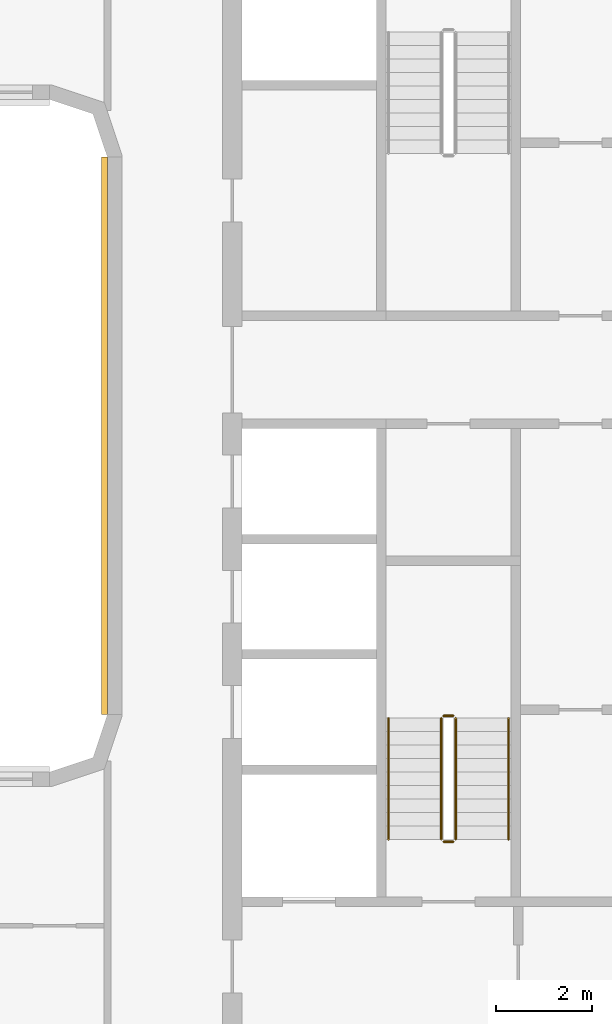
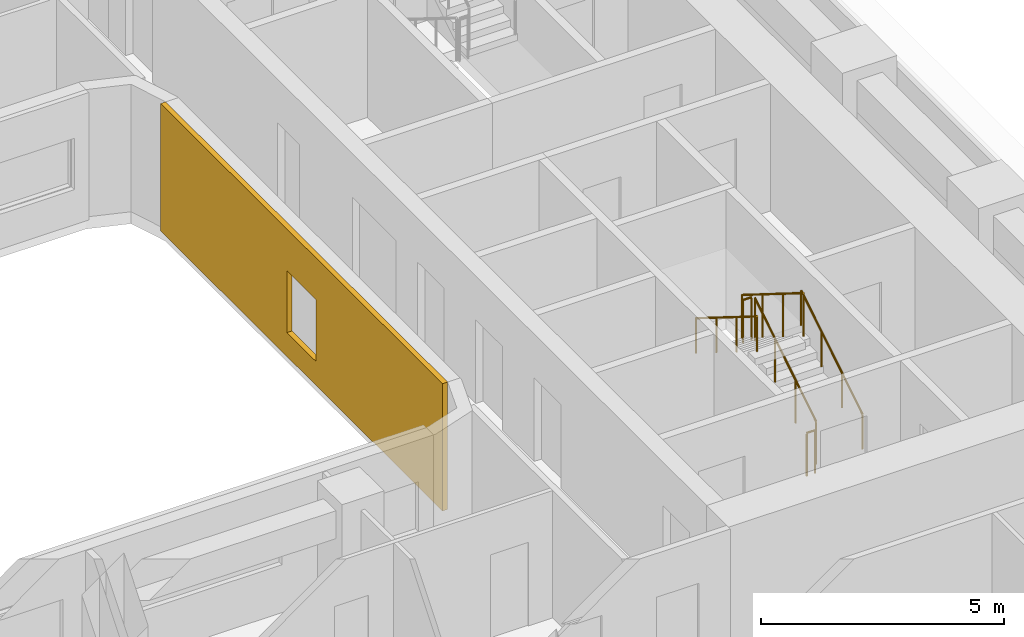
# One storey, part 17 of 22: 6 railings, 1 covering.
"""IFC4 building model written with IfcOpenShell, lengths in metres."""

import ifcopenshell
import ifcopenshell.guid

model = None  # the IFC model being written
_history = None  # IfcOwnerHistory: only IFC2X3 demands one
_inside = {}  # id of a spatial element -> (the spatial element, [elements in it])
_under = {}  # id of a project, library or spatial element -> (it, [spatial elements below it])
_declared = {}  # id of a project -> (the project, [libraries it declares])
_typed = {}  # id of a type object -> (the type object, [elements of that type])
_made_of = {}  # id of a material, layer set ... -> (it, [elements and type objects made of it])


def new_model(schema):
    """Start an empty IFC model of exactly this schema.

    Asked for "IFC4X3", IfcOpenShell would pick the latest addendum, in which some entities
    have other attributes; the version numbers below select the first issue.
    IFC2X3 requires an IfcOwnerHistory on every rooted entity: one is made here for all.
    """
    global model, _history
    if schema == "IFC4X3":
        model = ifcopenshell.file(schema_version=(4, 3, 0, 0))
    else:
        model = ifcopenshell.file(schema=schema)
    _inside.clear()
    _under.clear()
    _declared.clear()
    _typed.clear()
    _made_of.clear()
    _history = None
    if model.schema == "IFC2X3":
        org = make("IfcOrganization", Name="unknown")
        user = make(
            "IfcPersonAndOrganization",
            ThePerson=make("IfcPerson", FamilyName="unknown"),
            TheOrganization=org,
        )
        app = make(
            "IfcApplication",
            ApplicationDeveloper=org,
            Version="unknown",
            ApplicationFullName="unknown",
            ApplicationIdentifier="unknown",
        )
        _history = make(
            "IfcOwnerHistory",
            OwningUser=user,
            OwningApplication=app,
            ChangeAction="ADDED",
            CreationDate=0,
        )
    return model


def make(cls, **values):
    """One entity of the class cls with the attributes given. An attribute that is None is left unset."""
    return model.create_entity(
        cls, **{name: value for name, value in values.items() if value is not None}
    )


def rooted(cls, **values):
    """An entity with a GlobalId (a new one), such as an element, a storey or a relation."""
    return make(cls, GlobalId=ifcopenshell.guid.new(), OwnerHistory=_history, **values)


def si_unit(unit_type, name, prefix=None):
    """IfcSIUnit, for example si_unit("LENGTHUNIT", "METRE", prefix="MILLI")."""
    return make("IfcSIUnit", UnitType=unit_type, Prefix=prefix, Name=name)


def assignment(units):
    """IfcUnitAssignment: the units of a project."""
    return None if units is None else make("IfcUnitAssignment", Units=units)


def point(xyz):
    """IfcCartesianPoint."""
    return None if xyz is None else make("IfcCartesianPoint", Coordinates=xyz)


def direction(xyz):
    """IfcDirection."""
    return None if xyz is None else make("IfcDirection", DirectionRatios=xyz)


def frame(location, z_axis=None, x_axis=None):
    """IfcAxis2Placement3D, a coordinate frame: its origin and axes. An axis left out is left unset."""
    return make(
        "IfcAxis2Placement3D",
        Location=point(location),
        Axis=direction(z_axis),
        RefDirection=direction(x_axis),
    )


def frame_2d(location, x_axis=None):
    """IfcAxis2Placement2D, a coordinate frame in the plane: its origin and x axis."""
    return make(
        "IfcAxis2Placement2D", Location=point(location), RefDirection=direction(x_axis)
    )


def origin():
    """The frame at (0, 0, 0) with its axes left unset."""
    return frame((0.0, 0.0, 0.0))


def origin_2d():
    """The frame at (0, 0) in the plane with its x axis left unset."""
    return frame_2d((0.0, 0.0))


def place(relative_to, where):
    """IfcLocalPlacement: puts the frame where relative to a parent placement (None: the world)."""
    return make(
        "IfcLocalPlacement", PlacementRelTo=relative_to, RelativePlacement=where
    )


def context(
    kind, dimensions, precision=None, world=None, true_north=None, identifier=None
):
    """IfcGeometricRepresentationContext, for example the 3D "Model" context."""
    return make(
        "IfcGeometricRepresentationContext",
        ContextIdentifier=identifier,
        ContextType=kind,
        CoordinateSpaceDimension=dimensions,
        Precision=precision,
        WorldCoordinateSystem=world,
        TrueNorth=true_north,
    )


def subcontext(parent, identifier, kind, view, scale=None):
    """IfcGeometricRepresentationSubContext, for example "Body" below "Model"."""
    return make(
        "IfcGeometricRepresentationSubContext",
        ContextIdentifier=identifier,
        ContextType=kind,
        ParentContext=parent,
        TargetScale=scale,
        TargetView=view,
    )


def project(units=None, contexts=None):
    """IfcProject with its units and contexts."""
    return rooted(
        "IfcProject",
        Name="project",
        RepresentationContexts=contexts,
        UnitsInContext=assignment(units),
    )


def spatial(cls, under=None, at=None, **own):
    """A site, building, storey or space (cls), placed at a placement, below another one or the project."""
    s = rooted(cls, ObjectPlacement=at, **own)
    if under is not None:
        _under.setdefault(under.id(), (under, []))[1].append(s)
    return s


def polyline(points):
    """IfcPolyline through the points."""
    return make("IfcPolyline", Points=[point(p) for p in points])


def profile(cls, at=None, kind="AREA", **sizes):
    """A parametric profile (cls). Its sizes go by their IFC names, for example OverallWidth=200.0."""
    return make(cls, ProfileType=kind, Position=at, **sizes)


def circle(**sizes):
    """IfcCircleProfileDef."""
    return profile("IfcCircleProfileDef", **sizes)


def outline(outer, holes=None, kind="AREA"):
    """IfcArbitraryClosedProfileDef: a profile drawn as a closed curve; with holes, ...WithVoids."""
    if holes is None:
        return make("IfcArbitraryClosedProfileDef", ProfileType=kind, OuterCurve=outer)
    return make(
        "IfcArbitraryProfileDefWithVoids",
        ProfileType=kind,
        OuterCurve=outer,
        InnerCurves=holes,
    )


def extrude(swept, where, along, depth):
    """IfcExtrudedAreaSolid: the profile swept, set in the frame where, extruded along a direction by depth."""
    return make(
        "IfcExtrudedAreaSolid",
        SweptArea=swept,
        Position=where,
        ExtrudedDirection=direction(along),
        Depth=depth,
    )


def shape(context_of_items, identifier, shape_type, items):
    """IfcShapeRepresentation: the items that make up one representation, for example the "Body"."""
    return make(
        "IfcShapeRepresentation",
        ContextOfItems=context_of_items,
        RepresentationIdentifier=identifier,
        RepresentationType=shape_type,
        Items=items,
    )


def material(Name=None, Category=None):
    """IfcMaterial."""
    return make("IfcMaterial", Name=Name, Category=Category)


def layer(
    of_material, thickness, ventilated=None, Name=None, Category=None, Priority=None
):
    """IfcMaterialLayer: one layer of a wall or slab, of a material (None: an air gap)."""
    return make(
        "IfcMaterialLayer",
        Material=of_material,
        LayerThickness=thickness,
        IsVentilated=ventilated,
        Name=Name,
        Category=Category,
        Priority=Priority,
    )


def layer_set(layers, Name=None):
    """IfcMaterialLayerSet."""
    return make("IfcMaterialLayerSet", MaterialLayers=layers, LayerSetName=Name)


def made_of(thing, what):
    """Note that an element or type object is made of a material, layer set ...; save() writes the relation."""
    if what is not None:
        _made_of.setdefault(what.id(), (what, []))[1].append(thing)
    return thing


def type_object(cls, material=None, **own):
    """A type object (cls), such as IfcWallType, which elements share."""
    return made_of(rooted(cls, **own), material)


def element(
    cls,
    number,
    at=None,
    inside=None,
    cuts=None,
    type_object=None,
    material=None,
    context=None,
    identifier="Body",
    shape_type=None,
    held_by="IfcProductDefinitionShape",
    body=None,
    shapes=None,
    **own,
):
    """One element of the class cls, such as IfcWall. Its Tag is "e" and its number.

    at: its placement. inside: the storey or other place that contains it. cuts: it is an
    opening in that element (IfcRelVoidsElement). A single representation is given by context,
    identifier, shape_type and body (its items); several are given by shapes. held_by: the class
    of the entity that holds the representations. save() writes the other relations.
    """
    e = rooted(cls, Tag="e%d" % number, ObjectPlacement=at, **own)
    if body is not None:
        shapes = [shape(context, identifier, shape_type, body)]
    if shapes is not None:
        e.Representation = make(held_by, Representations=shapes)
    if inside is not None:
        _inside.setdefault(inside.id(), (inside, []))[1].append(e)
    if cuts is not None:
        rooted(
            "IfcRelVoidsElement", RelatingBuildingElement=cuts, RelatedOpeningElement=e
        )
    if type_object is not None:
        _typed.setdefault(type_object.id(), (type_object, []))[1].append(e)
    return made_of(e, material)


def aggregate(whole, parts):
    """IfcRelAggregates: a whole, such as a stair, and the parts it consists of."""
    return rooted("IfcRelAggregates", RelatingObject=whole, RelatedObjects=parts)


def save(model, path):
    """Write the relations noted so far, then the file.

    IfcRelAggregates (storeys below a building ...), IfcRelContainedInSpatialStructure (elements
    in a storey), IfcRelDefinesByType, IfcRelAssociatesMaterial and IfcRelDeclares: one each for
    every whole, place, type object, material and project.
    """
    for whole, parts in _under.values():
        aggregate(whole, parts)
    for where, things in _inside.values():
        rooted(
            "IfcRelContainedInSpatialStructure",
            RelatedElements=things,
            RelatingStructure=where,
        )
    for kind, things in _typed.values():
        rooted("IfcRelDefinesByType", RelatedObjects=things, RelatingType=kind)
    for what, things in _made_of.values():
        rooted("IfcRelAssociatesMaterial", RelatedObjects=things, RelatingMaterial=what)
    for by, libraries in _declared.values():
        rooted("IfcRelDeclares", RelatingContext=by, RelatedDefinitions=libraries)
    model.write(path)


model = new_model("IFC4")

# Units and contexts
model_context = context("Model", 3, precision=1e-05, world=origin(), true_north=direction((0.0, 1.0)))
body_context = subcontext(model_context, "Body", "Model", "MODEL_VIEW")
ifc_project = project(units=[si_unit("LENGTHUNIT", "METRE"), si_unit("AREAUNIT", "SQUARE_METRE"), si_unit("VOLUMEUNIT", "CUBIC_METRE"), si_unit("PLANEANGLEUNIT", "RADIAN"), si_unit("MASSUNIT", "GRAM", prefix="KILO")], contexts=[model_context])

# Site, building, storey
site_placement = place(None, origin())
site = spatial("IfcSite", under=ifc_project, at=site_placement, CompositionType="ELEMENT")
building_placement = place(site_placement, origin())
building = spatial("IfcBuilding", under=site, at=building_placement, Name="Kiln Ring Residences", CompositionType="ELEMENT")
storey_placement = place(building_placement, frame((0.0, 0.0, 97.300048828125)))
storey = spatial("IfcBuildingStorey", under=building, at=storey_placement, Name="L24", CompositionType="ELEMENT", Elevation=97.300048828125)

# Railings
ifc_material_1 = material(Name="Stainless steel", Category="steel")
railing_type_1 = type_object("IfcRailingType", Name="CORE-STAIR-GUARD", PredefinedType="GUARDRAIL", material=ifc_material_1)
railing_1_placement = place(storey_placement, frame((22.25, -8.39990234375, 0.175048828125)))
element("IfcRailing", 1, at=railing_1_placement, inside=storey, type_object=railing_type_1, Name="L24 E-STS stair guard 1", PredefinedType="GUARDRAIL", context=body_context, shape_type="SweptSolid", body=[
    extrude(circle(Radius=0.02392578125, at=origin_2d()), frame((0.0, 0.0, 1.076171875), z_axis=(0.0, 0.848007534815, 0.529984170421), x_axis=(-1.0, 0.0, 0.0)), (0.0, 0.0, 1.0), 2.9716796875),
    extrude(circle(Radius=0.02099609375, at=origin_2d()), origin(), (0.0, 0.0, 1.0), 1.052001953125),
    extrude(circle(Radius=0.02099609375, at=origin_2d()), frame((0.0, 0.840087890625, 0.52490234375)), (0.0, 0.0, 1.0), 1.052001953125),
    extrude(circle(Radius=0.02099609375, at=origin_2d()), frame((0.0, 1.679931640625, 1.050048828125)), (0.0, 0.0, 1.0), 1.052001953125),
    extrude(circle(Radius=0.02099609375, at=origin_2d()), frame((0.0, 2.52001953125, 1.574951171875)), (0.0, 0.0, 1.0), 1.052001953125),
])
railing_2_placement = place(storey_placement, frame((22.199951171875, -5.830078125, 1.75)))
element("IfcRailing", 2, at=railing_2_placement, inside=storey, type_object=railing_type_1, Name="L24 E-STS stair guard 2", PredefinedType="GUARDRAIL", context=body_context, shape_type="SweptSolid", body=[
    extrude(circle(Radius=0.02392578125, at=origin_2d()), frame((0.0, 0.0, 1.076171875), z_axis=(-1.0, 0.0, 0.0), x_axis=(0.0, -1.0, 0.0)), (0.0, 0.0, 1.0), 0.199951171875),
    extrude(circle(Radius=0.02099609375, at=origin_2d()), origin(), (0.0, 0.0, 1.0), 1.052001953125),
    extrude(circle(Radius=0.02099609375, at=origin_2d()), frame((-0.199951171875, 0.0, 0.0)), (0.0, 0.0, 1.0), 1.052001953125),
])
railing_3_placement = place(storey_placement, frame((21.949951171875, -5.8798828125, 1.925048828125)))
element("IfcRailing", 3, at=railing_3_placement, inside=storey, type_object=railing_type_1, Name="L24 E-STS stair guard 3", PredefinedType="GUARDRAIL", context=body_context, shape_type="SweptSolid", body=[
    extrude(circle(Radius=0.02392578125, at=origin_2d()), frame((0.0, 0.0, 1.076171875), z_axis=(0.0, -0.848007534815, 0.529984170421), x_axis=(1.0, 0.0, 0.0)), (0.0, 0.0, 1.0), 2.9716796875),
    extrude(circle(Radius=0.02099609375, at=origin_2d()), origin(), (0.0, 0.0, 1.0), 1.052001953125),
    extrude(circle(Radius=0.02099609375, at=origin_2d()), frame((0.0, -0.840087890625, 0.52490234375)), (0.0, 0.0, 1.0), 1.052001953125),
    extrude(circle(Radius=0.02099609375, at=origin_2d()), frame((0.0, -1.679931640625, 1.050048828125)), (0.0, 0.0, 1.0), 1.052001953125),
    extrude(circle(Radius=0.02099609375, at=origin_2d()), frame((0.0, -2.52001953125, 1.574951171875)), (0.0, 0.0, 1.0), 1.052001953125),
])
railing_4_placement = place(storey_placement, frame((22.199951171875, -8.449951171875, 0.0)))
element("IfcRailing", 4, at=railing_4_placement, inside=storey, type_object=railing_type_1, Name="L24 E-STS stair guard 4", PredefinedType="GUARDRAIL", context=body_context, shape_type="SweptSolid", body=[
    extrude(circle(Radius=0.02392578125, at=origin_2d()), frame((0.0, 0.0, 1.076171875), z_axis=(-1.0, 0.0, 0.0), x_axis=(0.0, -1.0, 0.0)), (0.0, 0.0, 1.0), 0.199951171875),
    extrude(circle(Radius=0.02099609375, at=origin_2d()), origin(), (0.0, 0.0, 1.0), 1.052001953125),
    extrude(circle(Radius=0.02099609375, at=origin_2d()), frame((-0.199951171875, 0.0, 0.0)), (0.0, 0.0, 1.0), 1.052001953125),
])
ifc_material_2 = material(Name="Stainless steel", Category="steel")
railing_type_2 = type_object("IfcRailingType", Name="CORE-STAIR-HANDRAIL", PredefinedType="HANDRAIL", material=ifc_material_2)
railing_5_placement = place(storey_placement, frame((23.35009765625, -8.39990234375, 0.175048828125)))
element("IfcRailing", 5, at=railing_5_placement, inside=storey, type_object=railing_type_2, Name="L24 E-STS stair handrail 1", PredefinedType="HANDRAIL", context=body_context, shape_type="SweptSolid", body=[
    extrude(circle(Radius=0.02392578125, at=origin_2d()), frame((0.0, 0.0, 0.8759765625), z_axis=(0.0, 0.848007534815, 0.529984170421), x_axis=(-1.0, 0.0, 0.0)), (0.0, 0.0, 1.0), 2.9716796875),
    extrude(circle(Radius=0.02099609375, at=origin_2d()), origin(), (0.0, 0.0, 1.0), 0.851806640625),
    extrude(circle(Radius=0.02099609375, at=origin_2d()), frame((0.0, 0.840087890625, 0.52490234375)), (0.0, 0.0, 1.0), 0.851806640625),
    extrude(circle(Radius=0.02099609375, at=origin_2d()), frame((0.0, 1.679931640625, 1.050048828125)), (0.0, 0.0, 1.0), 0.851806640625),
    extrude(circle(Radius=0.02099609375, at=origin_2d()), frame((0.0, 2.52001953125, 1.574951171875)), (0.0, 0.0, 1.0), 0.851806640625),
])
railing_6_placement = place(storey_placement, frame((20.85009765625, -5.8798828125, 1.925048828125)))
element("IfcRailing", 6, at=railing_6_placement, inside=storey, type_object=railing_type_2, Name="L24 E-STS stair handrail 2", PredefinedType="HANDRAIL", context=body_context, shape_type="SweptSolid", body=[
    extrude(circle(Radius=0.02392578125, at=origin_2d()), frame((0.0, 0.0, 0.8759765625), z_axis=(0.0, -0.848007534815, 0.529984170421), x_axis=(1.0, 0.0, 0.0)), (0.0, 0.0, 1.0), 2.9716796875),
    extrude(circle(Radius=0.02099609375, at=origin_2d()), origin(), (0.0, 0.0, 1.0), 0.851806640625),
    extrude(circle(Radius=0.02099609375, at=origin_2d()), frame((0.0, -0.840087890625, 0.52490234375)), (0.0, 0.0, 1.0), 0.851806640625),
    extrude(circle(Radius=0.02099609375, at=origin_2d()), frame((0.0, -1.679931640625, 1.050048828125)), (0.0, 0.0, 1.0), 0.851806640625),
    extrude(circle(Radius=0.02099609375, at=origin_2d()), frame((0.0, -2.52001953125, 1.574951171875)), (0.0, 0.0, 1.0), 0.851806640625),
])

# Covering
ifc_material_3 = material(Name="Brick masonry, dark clay brick", Category="masonry")
ifc_layer = layer(ifc_material_3, 0.1201171875)
ifc_layer_set = layer_set([ifc_layer], Name="RAINSCREEN PANEL 120")
covering_type = type_object("IfcCoveringType", Name="RAINSCREEN PANEL 120", PredefinedType="CLADDING", material=ifc_layer_set)
covering_placement = place(storey_placement, frame((14.93994140625, 5.800048828125, 0.0), z_axis=(0.0, 0.0, 1.0), x_axis=(0.0, -1.0, 0.0)))
element("IfcCovering", 7, at=covering_placement, inside=storey, type_object=covering_type, Name="RAINSCREEN L24", PredefinedType="CLADDING", context=body_context, shape_type="SweptSolid", body=[
    extrude(outline(polyline([(0.0, 0.0), (11.60009765625, 0.0), (11.60009765625, 3.199951171875), (0.0, 3.199951171875), (0.0, 0.0)]), holes=[polyline([(5.199951171875, 2.14990234375), (5.199951171875, 0.599853515625), (6.39990234375, 0.599853515625), (6.39990234375, 2.14990234375), (5.199951171875, 2.14990234375)])]), frame((0.0, 0.06005859375, 0.0), z_axis=(0.0, -1.0, 0.0), x_axis=(1.0, 0.0, 0.0)), (0.0, 0.0, 1.0), 0.1201171875),
])

save(model, "model.ifc")
